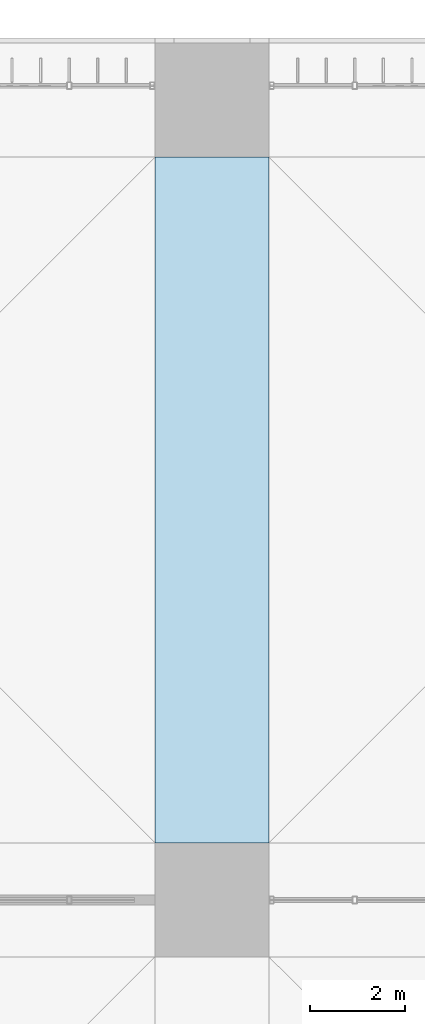
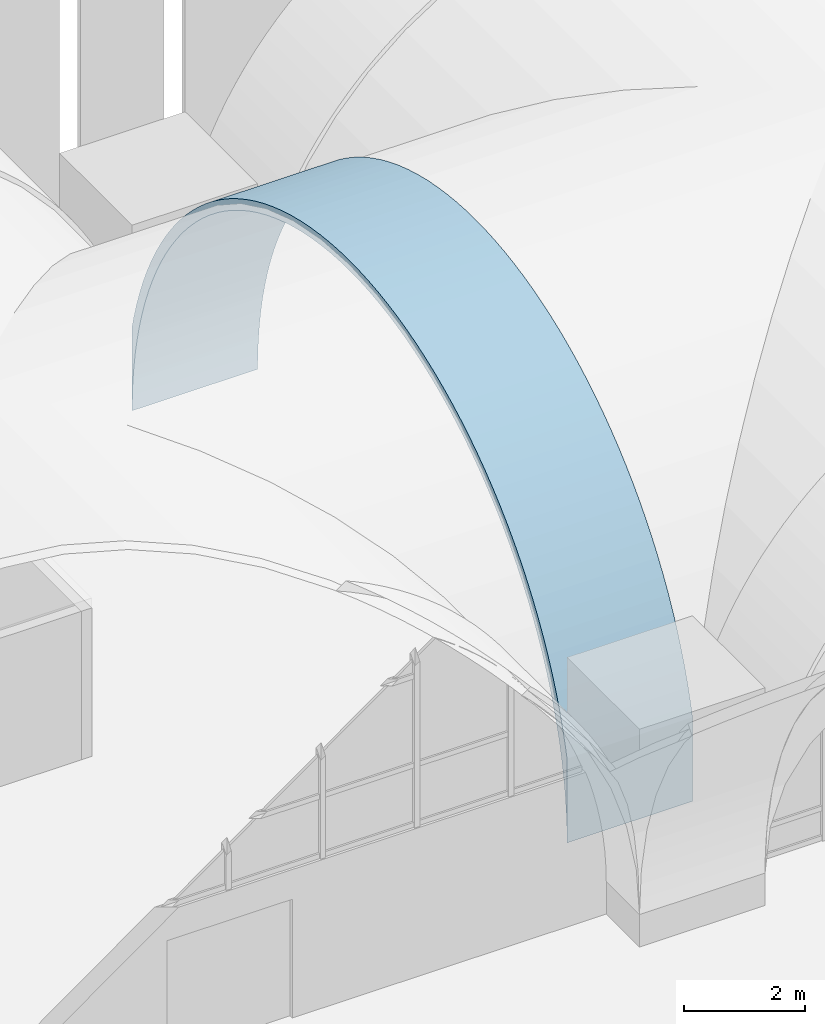
# One storey, part 118 of 169: 1 roof.
"""IFC4 building model written with IfcOpenShell, lengths in metres."""

from ifc_helpers import new_model, si_unit, direction, frame, origin, place, context, subcontext, project, spatial, polygons, material, layer, layer_set, type_object, element, save


model = new_model("IFC4")

# Units and contexts
model_context = context("Model", 3, precision=1e-05, world=origin(), true_north=direction((0.0, 1.0)))
body_context = subcontext(model_context, "Body", "Model", "MODEL_VIEW")
ifc_project = project(units=[si_unit("LENGTHUNIT", "METRE"), si_unit("AREAUNIT", "SQUARE_METRE"), si_unit("VOLUMEUNIT", "CUBIC_METRE"), si_unit("PLANEANGLEUNIT", "RADIAN"), si_unit("MASSUNIT", "GRAM", prefix="KILO")], contexts=[model_context])

# Site, building, storey
site_placement = place(None, origin())
site = spatial("IfcSite", under=ifc_project, at=site_placement, CompositionType="ELEMENT")
building_placement = place(site_placement, origin())
building = spatial("IfcBuilding", under=site, at=building_placement, Name="Verrick Yard Athletic Hall", CompositionType="ELEMENT")
storey_placement = place(building_placement, frame((0.0, 0.0, 4.39990234375)))
storey = spatial("IfcBuildingStorey", under=building, at=storey_placement, Name="L01", CompositionType="ELEMENT", Elevation=4.39990234375)

# Roof
ifc_material = material(Name="Concrete 35 MPa", Category="concrete")
ifc_layer = layer(ifc_material, 0.199951171875)
ifc_layer_set = layer_set([ifc_layer], Name="Arch rib 200")
roof_type = type_object("IfcRoofType", Name="Arch rib 200", PredefinedType="BARREL_ROOF", material=ifc_layer_set)
roof_placement = place(storey_placement, origin())
element("IfcRoof", 1, at=roof_placement, inside=storey, type_object=roof_type, Name="Vault rib X2-2", PredefinedType="BARREL_ROOF", context=body_context, shape_type="Tessellation", body=[
    polygons([(58.0, 37.199951171875, 2.352294921875), (58.0, 37.199951171875, 0.650146484375), (58.0, 37.206787109375, 0.964111328125), (58.0, 37.227294921875, 1.277587890625), (58.0, 37.26171875, 1.58984375), (58.0, 37.309326171875, 1.900390625), (58.0, 37.37060546875, 2.20849609375), (58.0, 37.4453125, 2.513671875), (58.0, 37.533203125, 2.815185546875), (58.0, 37.63427734375, 3.112548828125), (58.0, 37.748046875, 3.405517578125), (58.0, 37.87451171875, 3.693115234375), (58.0, 38.013427734375, 3.974609375), (58.0, 38.16455078125, 4.25), (58.0, 38.32763671875, 4.518798828125), (58.0, 38.502197265625, 4.77978515625), (58.0, 38.68798828125, 5.033203125), (58.0, 38.884521484375, 5.278076171875), (58.0, 39.091552734375, 5.514404296875), (58.0, 39.308837890625, 5.7412109375), (58.0, 39.535888671875, 5.95849609375), (58.0, 39.77197265625, 6.16552734375), (58.0, 40.016845703125, 6.3623046875), (58.0, 40.270263671875, 6.548095703125), (58.0, 40.531494140625, 6.722412109375), (58.0, 40.800048828125, 6.885498046875), (58.0, 41.075439453125, 7.03662109375), (58.0, 41.357177734375, 7.175537109375), (58.0, 41.644775390625, 7.302001953125), (58.0, 41.9375, 7.416015625), (58.0, 42.23486328125, 7.516845703125), (58.0, 42.53662109375, 7.604736328125), (58.0, 42.841552734375, 7.679443359375), (58.0, 43.149658203125, 7.74072265625), (58.0, 43.460205078125, 7.78857421875), (58.0, 43.7724609375, 7.82275390625), (58.0, 44.0859375, 7.84326171875), (58.0, 44.39990234375, 7.85009765625), (58.0, 44.714111328125, 7.84326171875), (58.0, 45.027587890625, 7.82275390625), (58.0, 45.33984375, 7.78857421875), (58.0, 45.650390625, 7.74072265625), (58.0, 45.95849609375, 7.679443359375), (58.0, 46.263427734375, 7.604736328125), (58.0, 46.565185546875, 7.516845703125), (58.0, 46.862548828125, 7.416015625), (58.0, 47.1552734375, 7.302001953125), (58.0, 47.44287109375, 7.175537109375), (58.0, 47.724609375, 7.03662109375), (58.0, 48.0, 6.885498046875), (58.0, 48.2685546875, 6.722412109375), (58.0, 48.52978515625, 6.548095703125), (58.0, 48.783203125, 6.3623046875), (58.0, 49.028076171875, 6.16552734375), (58.0, 49.26416015625, 5.95849609375), (58.0, 49.4912109375, 5.7412109375), (58.0, 49.70849609375, 5.514404296875), (58.0, 49.91552734375, 5.278076171875), (58.0, 50.112060546875, 5.033203125), (58.0, 50.2978515625, 4.77978515625), (58.0, 50.472412109375, 4.518798828125), (58.0, 50.635498046875, 4.25), (58.0, 50.78662109375, 3.974609375), (58.0, 50.92529296875, 3.693115234375), (58.0, 51.052001953125, 3.405517578125), (58.0, 51.165771484375, 3.112548828125), (58.0, 51.266845703125, 2.815185546875), (58.0, 51.354736328125, 2.513671875), (58.0, 51.42919921875, 2.20849609375), (58.0, 51.490478515625, 1.900390625), (58.0, 51.538330078125, 1.58984375), (58.0, 51.572509765625, 1.277587890625), (58.0, 51.593017578125, 0.964111328125), (58.0, 51.60009765625, 0.650146484375), (58.0, 51.60009765625, 2.352294921875), (58.0, 51.5478515625, 2.5654296875), (58.0, 51.45751953125, 2.875244140625), (58.0, 51.353759765625, 3.180908203125), (58.0, 51.23681640625, 3.48193359375), (58.0, 51.106689453125, 3.777587890625), (58.0, 50.9638671875, 4.06689453125), (58.0, 50.80859375, 4.35009765625), (58.0, 50.64111328125, 4.6259765625), (58.0, 50.461669921875, 4.89453125), (58.0, 50.270751953125, 5.15478515625), (58.0, 50.068603515625, 5.40673828125), (58.0, 49.85595703125, 5.6494140625), (58.0, 49.632568359375, 5.8828125), (58.0, 49.3994140625, 6.10595703125), (58.0, 49.156494140625, 6.31884765625), (58.0, 48.90478515625, 6.52099609375), (58.0, 48.64453125, 6.7119140625), (58.0, 48.3759765625, 6.89111328125), (58.0, 48.10009765625, 7.05859375), (58.0, 47.81689453125, 7.214111328125), (58.0, 47.52734375, 7.356689453125), (58.0, 47.23193359375, 7.48681640625), (58.0, 46.930908203125, 7.603759765625), (58.0, 46.625244140625, 7.70751953125), (58.0, 46.315185546875, 7.798095703125), (58.0, 46.001708984375, 7.874755859375), (58.0, 45.68505859375, 7.937744140625), (58.0, 45.365966796875, 7.98681640625), (58.0, 45.044921875, 8.02197265625), (58.0, 44.722900390625, 8.043212890625), (58.0, 44.39990234375, 8.050048828125), (58.0, 44.0771484375, 8.043212890625), (58.0, 43.7548828125, 8.02197265625), (58.0, 43.43408203125, 7.98681640625), (58.0, 43.114990234375, 7.937744140625), (58.0, 42.79833984375, 7.874755859375), (58.0, 42.484619140625, 7.798095703125), (58.0, 42.1748046875, 7.70751953125), (58.0, 41.869140625, 7.603759765625), (58.0, 41.568115234375, 7.48681640625), (58.0, 41.272705078125, 7.356689453125), (58.0, 40.983154296875, 7.214111328125), (58.0, 40.699951171875, 7.05859375), (58.0, 40.424072265625, 6.89111328125), (58.0, 40.155517578125, 6.7119140625), (58.0, 39.895263671875, 6.52099609375), (58.0, 39.643310546875, 6.31884765625), (58.0, 39.400634765625, 6.10595703125), (58.0, 39.16748046875, 5.8828125), (58.0, 38.944091796875, 5.6494140625), (58.0, 38.731201171875, 5.40673828125), (58.0, 38.529296875, 5.15478515625), (58.0, 38.33837890625, 4.89453125), (58.0, 38.158935546875, 4.6259765625), (58.0, 37.991455078125, 4.35009765625), (58.0, 37.836181640625, 4.06689453125), (58.0, 37.693359375, 3.777587890625), (58.0, 37.563232421875, 3.48193359375), (58.0, 37.4462890625, 3.180908203125), (58.0, 37.342529296875, 2.875244140625), (58.0, 37.252197265625, 2.5654296875), (55.60009765625, 37.199951171875, 2.352294921875), (55.60009765625, 37.199951171875, 0.650146484375), (55.60009765625, 37.206787109375, 0.964111328125), (55.60009765625, 37.227294921875, 1.277587890625), (55.60009765625, 37.26171875, 1.58984375), (55.60009765625, 37.309326171875, 1.900390625), (55.60009765625, 37.37060546875, 2.20849609375), (55.60009765625, 37.4453125, 2.513671875), (55.60009765625, 37.533203125, 2.815185546875), (55.60009765625, 37.63427734375, 3.112548828125), (55.60009765625, 37.748046875, 3.405517578125), (55.60009765625, 37.87451171875, 3.693115234375), (55.60009765625, 38.013427734375, 3.974609375), (55.60009765625, 38.16455078125, 4.25), (55.60009765625, 38.32763671875, 4.518798828125), (55.60009765625, 38.502197265625, 4.77978515625), (55.60009765625, 38.68798828125, 5.033203125), (55.60009765625, 38.884521484375, 5.278076171875), (55.60009765625, 39.091552734375, 5.514404296875), (55.60009765625, 39.308837890625, 5.7412109375), (55.60009765625, 39.535888671875, 5.95849609375), (55.60009765625, 39.77197265625, 6.16552734375), (55.60009765625, 40.016845703125, 6.3623046875), (55.60009765625, 40.270263671875, 6.548095703125), (55.60009765625, 40.531494140625, 6.722412109375), (55.60009765625, 40.800048828125, 6.885498046875), (55.60009765625, 41.075439453125, 7.03662109375), (55.60009765625, 41.357177734375, 7.175537109375), (55.60009765625, 41.644775390625, 7.302001953125), (55.60009765625, 41.9375, 7.416015625), (55.60009765625, 42.23486328125, 7.516845703125), (55.60009765625, 42.53662109375, 7.604736328125), (55.60009765625, 42.841552734375, 7.679443359375), (55.60009765625, 43.149658203125, 7.74072265625), (55.60009765625, 43.460205078125, 7.78857421875), (55.60009765625, 43.7724609375, 7.82275390625), (55.60009765625, 44.0859375, 7.84326171875), (55.60009765625, 44.39990234375, 7.85009765625), (55.60009765625, 44.714111328125, 7.84326171875), (55.60009765625, 45.027587890625, 7.82275390625), (55.60009765625, 45.33984375, 7.78857421875), (55.60009765625, 45.650390625, 7.74072265625), (55.60009765625, 45.95849609375, 7.679443359375), (55.60009765625, 46.263427734375, 7.604736328125), (55.60009765625, 46.565185546875, 7.516845703125), (55.60009765625, 46.862548828125, 7.416015625), (55.60009765625, 47.1552734375, 7.302001953125), (55.60009765625, 47.44287109375, 7.175537109375), (55.60009765625, 47.724609375, 7.03662109375), (55.60009765625, 48.0, 6.885498046875), (55.60009765625, 48.2685546875, 6.722412109375), (55.60009765625, 48.52978515625, 6.548095703125), (55.60009765625, 48.783203125, 6.3623046875), (55.60009765625, 49.028076171875, 6.16552734375), (55.60009765625, 49.26416015625, 5.95849609375), (55.60009765625, 49.4912109375, 5.7412109375), (55.60009765625, 49.70849609375, 5.514404296875), (55.60009765625, 49.91552734375, 5.278076171875), (55.60009765625, 50.112060546875, 5.033203125), (55.60009765625, 50.2978515625, 4.77978515625), (55.60009765625, 50.472412109375, 4.518798828125), (55.60009765625, 50.635498046875, 4.25), (55.60009765625, 50.78662109375, 3.974609375), (55.60009765625, 50.92529296875, 3.693115234375), (55.60009765625, 51.052001953125, 3.405517578125), (55.60009765625, 51.165771484375, 3.112548828125), (55.60009765625, 51.266845703125, 2.815185546875), (55.60009765625, 51.354736328125, 2.513671875), (55.60009765625, 51.42919921875, 2.20849609375), (55.60009765625, 51.490478515625, 1.900390625), (55.60009765625, 51.538330078125, 1.58984375), (55.60009765625, 51.572509765625, 1.277587890625), (55.60009765625, 51.593017578125, 0.964111328125), (55.60009765625, 51.60009765625, 0.650146484375), (55.60009765625, 51.60009765625, 2.352294921875), (55.60009765625, 51.5478515625, 2.5654296875), (55.60009765625, 51.45751953125, 2.875244140625), (55.60009765625, 51.353759765625, 3.180908203125), (55.60009765625, 51.23681640625, 3.48193359375), (55.60009765625, 51.106689453125, 3.777587890625), (55.60009765625, 50.9638671875, 4.06689453125), (55.60009765625, 50.80859375, 4.35009765625), (55.60009765625, 50.64111328125, 4.6259765625), (55.60009765625, 50.461669921875, 4.89453125), (55.60009765625, 50.270751953125, 5.15478515625), (55.60009765625, 50.068603515625, 5.40673828125), (55.60009765625, 49.85595703125, 5.6494140625), (55.60009765625, 49.632568359375, 5.8828125), (55.60009765625, 49.3994140625, 6.10595703125), (55.60009765625, 49.156494140625, 6.31884765625), (55.60009765625, 48.90478515625, 6.52099609375), (55.60009765625, 48.64453125, 6.7119140625), (55.60009765625, 48.3759765625, 6.89111328125), (55.60009765625, 48.10009765625, 7.05859375), (55.60009765625, 47.81689453125, 7.214111328125), (55.60009765625, 47.52734375, 7.356689453125), (55.60009765625, 47.23193359375, 7.48681640625), (55.60009765625, 46.930908203125, 7.603759765625), (55.60009765625, 46.625244140625, 7.70751953125), (55.60009765625, 46.315185546875, 7.798095703125), (55.60009765625, 46.001708984375, 7.874755859375), (55.60009765625, 45.68505859375, 7.937744140625), (55.60009765625, 45.365966796875, 7.98681640625), (55.60009765625, 45.044921875, 8.02197265625), (55.60009765625, 44.722900390625, 8.043212890625), (55.60009765625, 44.39990234375, 8.050048828125), (55.60009765625, 44.0771484375, 8.043212890625), (55.60009765625, 43.7548828125, 8.02197265625), (55.60009765625, 43.43408203125, 7.98681640625), (55.60009765625, 43.114990234375, 7.937744140625), (55.60009765625, 42.79833984375, 7.874755859375), (55.60009765625, 42.484619140625, 7.798095703125), (55.60009765625, 42.1748046875, 7.70751953125), (55.60009765625, 41.869140625, 7.603759765625), (55.60009765625, 41.568115234375, 7.48681640625), (55.60009765625, 41.272705078125, 7.356689453125), (55.60009765625, 40.983154296875, 7.214111328125), (55.60009765625, 40.699951171875, 7.05859375), (55.60009765625, 40.424072265625, 6.89111328125), (55.60009765625, 40.155517578125, 6.7119140625), (55.60009765625, 39.895263671875, 6.52099609375), (55.60009765625, 39.643310546875, 6.31884765625), (55.60009765625, 39.400634765625, 6.10595703125), (55.60009765625, 39.16748046875, 5.8828125), (55.60009765625, 38.944091796875, 5.6494140625), (55.60009765625, 38.731201171875, 5.40673828125), (55.60009765625, 38.529296875, 5.15478515625), (55.60009765625, 38.33837890625, 4.89453125), (55.60009765625, 38.158935546875, 4.6259765625), (55.60009765625, 37.991455078125, 4.35009765625), (55.60009765625, 37.836181640625, 4.06689453125), (55.60009765625, 37.693359375, 3.777587890625), (55.60009765625, 37.563232421875, 3.48193359375), (55.60009765625, 37.4462890625, 3.180908203125), (55.60009765625, 37.342529296875, 2.875244140625), (55.60009765625, 37.252197265625, 2.5654296875)], [[[1, 2, 3]], [[137, 139, 138]], [[136, 1, 3]], [[272, 139, 137]], [[136, 3, 4]], [[272, 140, 139]], [[136, 4, 5]], [[272, 141, 140]], [[136, 5, 6]], [[272, 142, 141]], [[136, 6, 7]], [[272, 143, 142]], [[136, 7, 8]], [[272, 144, 143]], [[136, 8, 9]], [[272, 145, 144]], [[136, 9, 10]], [[272, 146, 145]], [[136, 10, 11]], [[272, 147, 146]], [[136, 11, 12]], [[272, 148, 147]], [[136, 12, 13]], [[272, 149, 148]], [[73, 74, 75]], [[209, 211, 210]], [[72, 73, 75]], [[208, 211, 209]], [[71, 72, 75]], [[207, 211, 208]], [[70, 71, 75]], [[206, 211, 207]], [[69, 70, 75]], [[205, 211, 206]], [[68, 69, 75]], [[204, 211, 205]], [[67, 68, 75]], [[203, 211, 204]], [[66, 67, 75]], [[202, 211, 203]], [[65, 66, 75]], [[201, 211, 202]], [[64, 65, 75]], [[200, 211, 201]], [[63, 64, 75]], [[199, 211, 200]], [[63, 75, 76]], [[199, 212, 211]], [[63, 76, 77]], [[199, 213, 212]], [[62, 63, 77]], [[198, 213, 199]], [[62, 77, 78]], [[198, 214, 213]], [[61, 62, 78]], [[197, 214, 198]], [[61, 78, 79]], [[197, 215, 214]], [[60, 61, 79]], [[196, 215, 197]], [[60, 79, 80]], [[196, 216, 215]], [[59, 60, 80]], [[195, 216, 196]], [[59, 80, 81]], [[195, 217, 216]], [[58, 59, 81]], [[194, 217, 195]], [[58, 81, 82]], [[194, 218, 217]], [[57, 58, 82]], [[193, 218, 194]], [[57, 82, 83]], [[193, 219, 218]], [[56, 57, 83]], [[192, 219, 193]], [[56, 83, 84]], [[192, 220, 219]], [[55, 56, 84]], [[191, 220, 192]], [[55, 84, 85]], [[191, 221, 220]], [[54, 55, 85]], [[190, 221, 191]], [[54, 85, 86]], [[190, 222, 221]], [[53, 54, 86]], [[189, 222, 190]], [[53, 86, 87]], [[189, 223, 222]], [[52, 53, 87]], [[188, 223, 189]], [[52, 87, 88]], [[188, 224, 223]], [[51, 52, 88]], [[187, 224, 188]], [[51, 88, 89]], [[187, 225, 224]], [[50, 51, 89]], [[186, 225, 187]], [[50, 89, 90]], [[186, 226, 225]], [[49, 50, 90]], [[185, 226, 186]], [[49, 90, 91]], [[185, 227, 226]], [[48, 49, 91]], [[184, 227, 185]], [[48, 91, 92]], [[184, 228, 227]], [[47, 48, 92]], [[183, 228, 184]], [[47, 92, 93]], [[183, 229, 228]], [[46, 47, 93]], [[182, 229, 183]], [[46, 93, 94]], [[182, 230, 229]], [[45, 46, 94]], [[181, 230, 182]], [[45, 94, 95]], [[181, 231, 230]], [[44, 45, 95]], [[180, 231, 181]], [[44, 95, 96]], [[180, 232, 231]], [[43, 44, 96]], [[179, 232, 180]], [[43, 96, 97]], [[179, 233, 232]], [[42, 43, 97]], [[178, 233, 179]], [[42, 97, 98]], [[178, 234, 233]], [[41, 42, 98]], [[177, 234, 178]], [[41, 98, 99]], [[177, 235, 234]], [[40, 41, 99]], [[176, 235, 177]], [[40, 99, 100]], [[176, 236, 235]], [[39, 40, 100]], [[175, 236, 176]], [[39, 100, 101]], [[175, 237, 236]], [[38, 39, 101]], [[174, 237, 175]], [[38, 101, 102]], [[174, 238, 237]], [[37, 38, 102]], [[173, 238, 174]], [[37, 102, 103]], [[173, 239, 238]], [[36, 37, 103]], [[172, 239, 173]], [[36, 103, 104]], [[172, 240, 239]], [[35, 36, 104]], [[171, 240, 172]], [[35, 104, 105]], [[171, 241, 240]], [[34, 35, 105]], [[170, 241, 171]], [[34, 105, 106]], [[170, 242, 241]], [[33, 34, 106]], [[169, 242, 170]], [[33, 106, 107]], [[169, 243, 242]], [[32, 33, 107]], [[168, 243, 169]], [[32, 107, 108]], [[168, 244, 243]], [[31, 32, 108]], [[167, 244, 168]], [[31, 108, 109]], [[167, 245, 244]], [[30, 31, 109]], [[166, 245, 167]], [[30, 109, 110]], [[166, 246, 245]], [[29, 30, 110]], [[165, 246, 166]], [[29, 110, 111]], [[165, 247, 246]], [[28, 29, 111]], [[164, 247, 165]], [[28, 111, 112]], [[164, 248, 247]], [[27, 28, 112]], [[163, 248, 164]], [[27, 112, 113]], [[163, 249, 248]], [[26, 27, 113]], [[162, 249, 163]], [[26, 113, 114]], [[162, 250, 249]], [[25, 26, 114]], [[161, 250, 162]], [[25, 114, 115]], [[161, 251, 250]], [[24, 25, 115]], [[160, 251, 161]], [[24, 115, 116]], [[160, 252, 251]], [[23, 24, 116]], [[159, 252, 160]], [[23, 116, 117]], [[159, 253, 252]], [[22, 23, 117]], [[158, 253, 159]], [[22, 117, 118]], [[158, 254, 253]], [[21, 22, 118]], [[157, 254, 158]], [[21, 118, 119]], [[157, 255, 254]], [[20, 21, 119]], [[156, 255, 157]], [[20, 119, 120]], [[156, 256, 255]], [[19, 20, 120]], [[155, 256, 156]], [[19, 120, 121]], [[155, 257, 256]], [[18, 19, 121]], [[154, 257, 155]], [[18, 121, 122]], [[154, 258, 257]], [[17, 18, 122]], [[153, 258, 154]], [[17, 122, 123]], [[153, 259, 258]], [[16, 17, 123]], [[152, 259, 153]], [[16, 123, 124]], [[152, 260, 259]], [[15, 16, 124]], [[151, 260, 152]], [[15, 124, 125]], [[151, 261, 260]], [[14, 15, 125]], [[150, 261, 151]], [[14, 125, 126]], [[150, 262, 261]], [[13, 14, 126]], [[149, 262, 150]], [[136, 13, 126]], [[272, 262, 149]], [[136, 126, 127]], [[272, 263, 262]], [[136, 127, 128]], [[272, 264, 263]], [[136, 128, 129]], [[272, 265, 264]], [[136, 129, 130]], [[272, 266, 265]], [[136, 130, 131]], [[272, 267, 266]], [[136, 131, 132]], [[272, 268, 267]], [[136, 132, 133]], [[272, 269, 268]], [[136, 133, 134]], [[272, 270, 269]], [[134, 135, 136]], [[270, 272, 271]], [[1, 138, 2]], [[1, 137, 138]], [[2, 139, 3]], [[2, 138, 139]], [[3, 140, 4]], [[3, 139, 140]], [[4, 141, 5]], [[4, 140, 141]], [[5, 142, 6]], [[5, 141, 142]], [[6, 143, 7]], [[6, 142, 143]], [[7, 144, 8]], [[7, 143, 144]], [[8, 145, 9]], [[8, 144, 145]], [[9, 146, 10]], [[9, 145, 146]], [[10, 147, 11]], [[10, 146, 147]], [[11, 148, 12]], [[11, 147, 148]], [[12, 149, 13]], [[12, 148, 149]], [[13, 150, 14]], [[13, 149, 150]], [[14, 151, 15]], [[14, 150, 151]], [[15, 152, 16]], [[15, 151, 152]], [[16, 153, 17]], [[16, 152, 153]], [[17, 154, 18]], [[17, 153, 154]], [[18, 155, 19]], [[18, 154, 155]], [[19, 156, 20]], [[19, 155, 156]], [[20, 157, 21]], [[20, 156, 157]], [[21, 158, 22]], [[21, 157, 158]], [[22, 159, 23]], [[22, 158, 159]], [[23, 160, 24]], [[23, 159, 160]], [[24, 161, 25]], [[24, 160, 161]], [[25, 162, 26]], [[25, 161, 162]], [[26, 163, 27]], [[26, 162, 163]], [[27, 164, 28]], [[27, 163, 164]], [[28, 165, 29]], [[28, 164, 165]], [[29, 166, 30]], [[29, 165, 166]], [[30, 167, 31]], [[30, 166, 167]], [[31, 168, 32]], [[31, 167, 168]], [[32, 169, 33]], [[32, 168, 169]], [[33, 170, 34]], [[33, 169, 170]], [[34, 171, 35]], [[34, 170, 171]], [[35, 172, 36]], [[35, 171, 172]], [[36, 173, 37]], [[36, 172, 173]], [[37, 174, 38]], [[37, 173, 174]], [[38, 175, 39]], [[38, 174, 175]], [[39, 176, 40]], [[39, 175, 176]], [[40, 177, 41]], [[40, 176, 177]], [[41, 178, 42]], [[41, 177, 178]], [[42, 179, 43]], [[42, 178, 179]], [[43, 180, 44]], [[43, 179, 180]], [[44, 181, 45]], [[44, 180, 181]], [[45, 182, 46]], [[45, 181, 182]], [[46, 183, 47]], [[46, 182, 183]], [[47, 184, 48]], [[47, 183, 184]], [[48, 185, 49]], [[48, 184, 185]], [[49, 186, 50]], [[49, 185, 186]], [[50, 187, 51]], [[50, 186, 187]], [[51, 188, 52]], [[51, 187, 188]], [[52, 189, 53]], [[52, 188, 189]], [[53, 190, 54]], [[53, 189, 190]], [[54, 191, 55]], [[54, 190, 191]], [[55, 192, 56]], [[55, 191, 192]], [[56, 193, 57]], [[56, 192, 193]], [[57, 194, 58]], [[57, 193, 194]], [[58, 195, 59]], [[58, 194, 195]], [[59, 196, 60]], [[59, 195, 196]], [[60, 197, 61]], [[60, 196, 197]], [[61, 198, 62]], [[61, 197, 198]], [[62, 199, 63]], [[62, 198, 199]], [[63, 200, 64]], [[63, 199, 200]], [[64, 201, 65]], [[64, 200, 201]], [[65, 202, 66]], [[65, 201, 202]], [[66, 203, 67]], [[66, 202, 203]], [[67, 204, 68]], [[67, 203, 204]], [[68, 205, 69]], [[68, 204, 205]], [[69, 206, 70]], [[69, 205, 206]], [[70, 207, 71]], [[70, 206, 207]], [[71, 208, 72]], [[71, 207, 208]], [[72, 209, 73]], [[72, 208, 209]], [[73, 210, 74]], [[73, 209, 210]], [[74, 211, 75]], [[74, 210, 211]], [[75, 212, 76]], [[75, 211, 212]], [[76, 213, 77]], [[76, 212, 213]], [[77, 214, 78]], [[77, 213, 214]], [[78, 215, 79]], [[78, 214, 215]], [[79, 216, 80]], [[79, 215, 216]], [[80, 217, 81]], [[80, 216, 217]], [[81, 218, 82]], [[81, 217, 218]], [[82, 219, 83]], [[82, 218, 219]], [[83, 220, 84]], [[83, 219, 220]], [[84, 221, 85]], [[84, 220, 221]], [[85, 222, 86]], [[85, 221, 222]], [[86, 223, 87]], [[86, 222, 223]], [[87, 224, 88]], [[87, 223, 224]], [[88, 225, 89]], [[88, 224, 225]], [[89, 226, 90]], [[89, 225, 226]], [[90, 227, 91]], [[90, 226, 227]], [[91, 228, 92]], [[91, 227, 228]], [[92, 229, 93]], [[92, 228, 229]], [[93, 230, 94]], [[93, 229, 230]], [[94, 231, 95]], [[94, 230, 231]], [[95, 232, 96]], [[95, 231, 232]], [[96, 233, 97]], [[96, 232, 233]], [[97, 234, 98]], [[97, 233, 234]], [[98, 235, 99]], [[98, 234, 235]], [[99, 236, 100]], [[99, 235, 236]], [[100, 237, 101]], [[100, 236, 237]], [[101, 238, 102]], [[101, 237, 238]], [[102, 239, 103]], [[102, 238, 239]], [[103, 240, 104]], [[103, 239, 240]], [[104, 241, 105]], [[104, 240, 241]], [[105, 242, 106]], [[105, 241, 242]], [[106, 243, 107]], [[106, 242, 243]], [[107, 244, 108]], [[107, 243, 244]], [[108, 245, 109]], [[108, 244, 245]], [[109, 246, 110]], [[109, 245, 246]], [[110, 247, 111]], [[110, 246, 247]], [[111, 248, 112]], [[111, 247, 248]], [[112, 249, 113]], [[112, 248, 249]], [[113, 250, 114]], [[113, 249, 250]], [[114, 251, 115]], [[114, 250, 251]], [[115, 252, 116]], [[115, 251, 252]], [[116, 253, 117]], [[116, 252, 253]], [[117, 254, 118]], [[117, 253, 254]], [[118, 255, 119]], [[118, 254, 255]], [[119, 256, 120]], [[119, 255, 256]], [[120, 257, 121]], [[120, 256, 257]], [[121, 258, 122]], [[121, 257, 258]], [[122, 259, 123]], [[122, 258, 259]], [[123, 260, 124]], [[123, 259, 260]], [[124, 261, 125]], [[124, 260, 261]], [[125, 262, 126]], [[125, 261, 262]], [[126, 263, 127]], [[126, 262, 263]], [[127, 264, 128]], [[127, 263, 264]], [[128, 265, 129]], [[128, 264, 265]], [[129, 266, 130]], [[129, 265, 266]], [[130, 267, 131]], [[130, 266, 267]], [[131, 268, 132]], [[131, 267, 268]], [[132, 269, 133]], [[132, 268, 269]], [[133, 270, 134]], [[133, 269, 270]], [[134, 271, 135]], [[134, 270, 271]], [[135, 272, 136]], [[135, 271, 272]], [[136, 137, 1]], [[136, 272, 137]]], closed=True),
])

save(model, "model.ifc")
